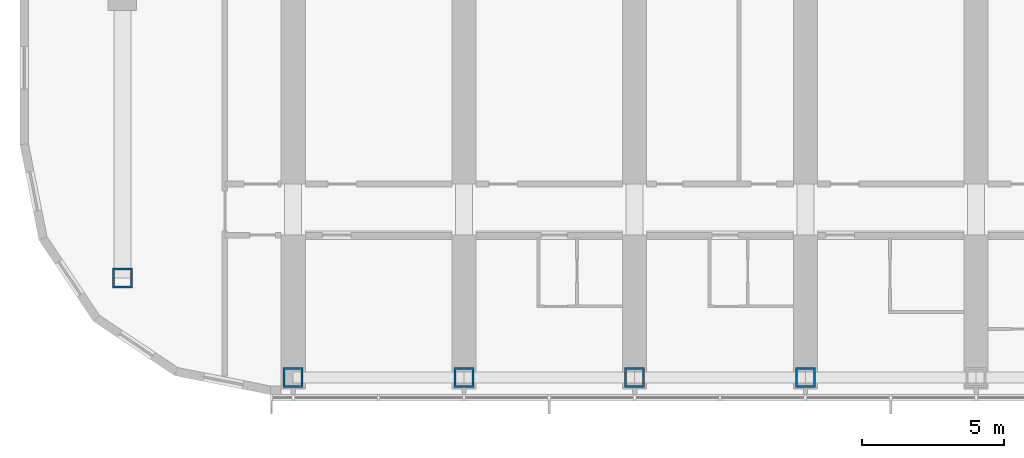
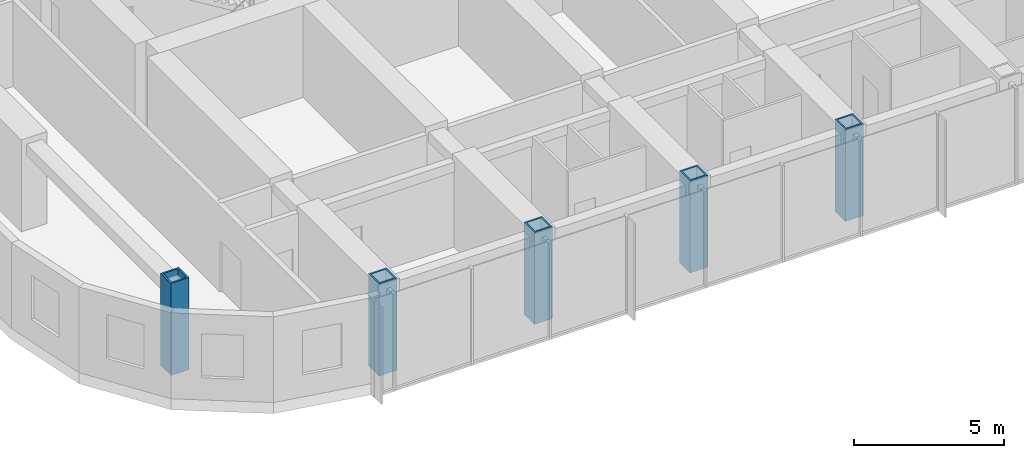
# One storey, part 1 of 27: 5 columns.
"""IFC4 building model written with IfcOpenShell, lengths in metres."""

from ifc_helpers import new_model, si_unit, direction, frame, origin, origin_2d, place, context, subcontext, project, spatial, hollow_rectangle, extrude, material, material_profile, profile_set, type_object, element, save


model = new_model("IFC4")

# Units and contexts
model_context = context("Model", 3, precision=1e-05, world=origin(), true_north=direction((0.0, 1.0)))
body_context = subcontext(model_context, "Body", "Model", "MODEL_VIEW")
ifc_project = project(units=[si_unit("LENGTHUNIT", "METRE"), si_unit("AREAUNIT", "SQUARE_METRE"), si_unit("VOLUMEUNIT", "CUBIC_METRE"), si_unit("PLANEANGLEUNIT", "RADIAN"), si_unit("MASSUNIT", "GRAM", prefix="KILO")], contexts=[model_context])

# Site, building, storey
site_placement = place(None, origin())
site = spatial("IfcSite", under=ifc_project, at=site_placement, CompositionType="ELEMENT")
building_placement = place(site_placement, origin())
building = spatial("IfcBuilding", under=site, at=building_placement, Name="Orbita Commons", CompositionType="ELEMENT")
storey_placement = place(building_placement, frame((0.0, 0.0, 178.60009765625)))
storey = spatial("IfcBuildingStorey", under=building, at=storey_placement, Name="L44", CompositionType="ELEMENT", Elevation=178.60009765625)

# Columns
ifc_material = material(Name="Steel ASTM A572 Gr 50 welded plate", Category="steel")
ifc_material_profile = material_profile(ifc_material, hollow_rectangle(XDim=0.699951171875, YDim=0.699951171875, WallThickness=0.070068359375, at=origin_2d()), Name="BOX 700x700x70")
ifc_profile_set = profile_set([ifc_material_profile], Name="Steel ASTM A572 Gr 50 welded plate")
column_type = type_object("IfcColumnType", Name="Steel column BOX 700x700x70", PredefinedType="COLUMN", material=ifc_profile_set)
for number, where, z_axis, x_axis, name in (
    (1, (18.0, 10.39990234375, 0.0), (0.0, 0.0, 1.0), (1.0, 0.0, 0.0), "Column 4/B L44"),
    (2, (24.0, 10.39990234375, 0.0), (0.0, 0.0, 1.0), (1.0, 0.0, 0.0), "Column 5/B L44"),
    (3, (30.0, 10.39990234375, 0.0), (0.0, 0.0, 1.0), (1.0, 0.0, 0.0), "Column 6/B L44"),
    (4, (36.0, 10.39990234375, 0.0), (0.0, 0.0, 1.0), (1.0, 0.0, 0.0), "Column 7/B L44"),
    (5, (12.0, 13.89990234375, 0.0), (0.0, 0.0, 1.0), (1.0, 0.0, 0.0), "Column 3/13.9 L44"),
):
    element("IfcColumn", number, at=place(storey_placement, frame(where, z_axis=z_axis, x_axis=x_axis)), inside=storey, type_object=column_type, Name=name, PredefinedType="COLUMN", context=body_context, shape_type="SweptSolid", body=[
        extrude(hollow_rectangle(XDim=0.699951171875, YDim=0.699951171875, WallThickness=0.070068359375, at=origin_2d()), origin(), (0.0, 0.0, 1.0), 3.75),
    ])

save(model, "model.ifc")
